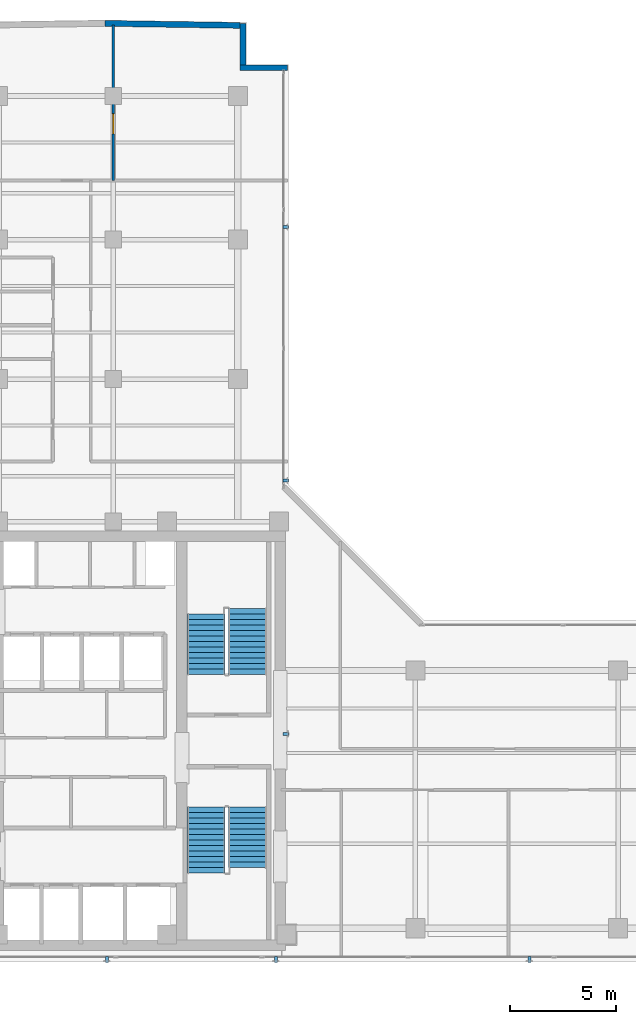
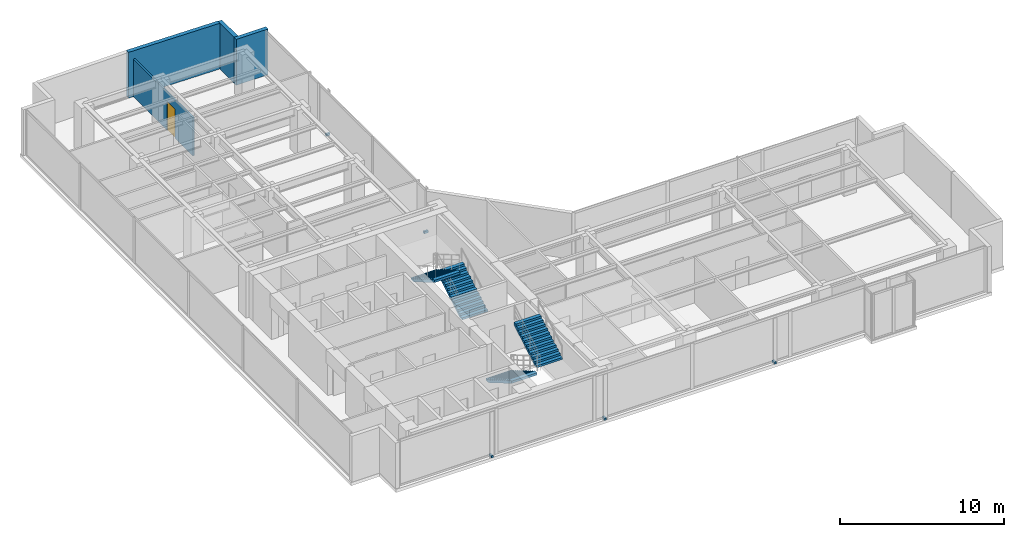
# One storey, part 18 of 23: 6 discrete accessories, 4 stair flights, 4 walls, 1 door, 1 opening, 2 elements without a shape of their own.
"""IFC4 building model written with IfcOpenShell, lengths in metres."""

from ifc_helpers import new_model, si_unit, direction, frame, frame_2d, origin, origin_with_axes, origin_2d, place, context, subcontext, project, spatial, polyline, rectangle, outline, extrude, source, transform, mapped, material, layer, layer_set, type_object, element, fill, aggregate, save


model = new_model("IFC4")

# Units and contexts
model_context = context("Model", 3, precision=1e-05, world=origin(), true_north=direction((0.0, 1.0)))
body_context = subcontext(model_context, "Body", "Model", "MODEL_VIEW")
ifc_project = project(units=[si_unit("LENGTHUNIT", "METRE"), si_unit("AREAUNIT", "SQUARE_METRE"), si_unit("VOLUMEUNIT", "CUBIC_METRE"), si_unit("PLANEANGLEUNIT", "RADIAN"), si_unit("MASSUNIT", "GRAM", prefix="KILO")], contexts=[model_context])

# Site, building, storey
site_placement = place(None, origin())
site = spatial("IfcSite", under=ifc_project, at=site_placement, CompositionType="ELEMENT")
building_placement = place(site_placement, origin())
building = spatial("IfcBuilding", under=site, at=building_placement, Name="Kolvaren Waterfront Exchange", CompositionType="ELEMENT")
storey_placement = place(building_placement, frame((0.0, 0.0, 335.0)))
storey = spatial("IfcBuildingStorey", under=building, at=storey_placement, Name="L86", CompositionType="ELEMENT", Elevation=335.0)

# Walls
ifc_material_1 = material(Name="Precast concrete C40/50", Category="concrete")
ifc_layer_1 = layer(ifc_material_1, 0.280029296875, Name="Precast concrete C40/50")
ifc_layer_set_1 = layer_set([ifc_layer_1], Name="Precast concrete C40/50")
wall_type_1 = type_object("IfcWallType", Name="ARC-EXT-TERR-280", PredefinedType="SOLIDWALL", material=ifc_layer_set_1)
wall_1_placement = place(storey_placement, frame((18.89990234375, 45.93994140625, 0.0), z_axis=(0.0, 0.0, 1.0), x_axis=(1.0, 0.0, 0.0)))
element("IfcWall", 1, at=wall_1_placement, inside=storey, type_object=wall_type_1, Name="L86 notched corner spandrel pier NNE-A", PredefinedType="SOLIDWALL", context=body_context, shape_type="SweptSolid", body=[
    extrude(rectangle(XDim=2.239990234375, YDim=0.280029296875, at=frame_2d((1.1201171875, 0.0))), origin(), (0.0, 0.0, 1.0), 3.419921875),
])
wall_2_placement = place(storey_placement, frame((19.0400390625, 46.080078125, 0.0), z_axis=(0.0, 0.0, 1.0), x_axis=(0.0, 1.0, 0.0)))
element("IfcWall", 2, at=wall_2_placement, inside=storey, type_object=wall_type_1, Name="L86 notched corner spandrel pier NNE-B", PredefinedType="SOLIDWALL", context=body_context, shape_type="SweptSolid", body=[
    extrude(rectangle(XDim=1.9599609375, YDim=0.280029296875, at=frame_2d((0.97998046875, 0.0))), origin(), (0.0, 0.0, 1.0), 3.419921875),
])
wall_3_placement = place(storey_placement, frame((18.897705078125, 47.944580078125, 0.0), z_axis=(0.0, 0.0, 1.0), x_axis=(-0.999888660787, 0.014921998152, 0.0)))
element("IfcWall", 3, at=wall_3_placement, inside=storey, type_object=wall_type_1, Name="L86 north prow faceted facade wall 1", PredefinedType="SOLIDWALL", context=body_context, shape_type="SweptSolid", body=[
    extrude(rectangle(XDim=6.380859375, YDim=0.280029296875, at=frame_2d((3.1904296875, 0.0))), origin(), (0.0, 0.0, 1.0), 3.419921875),
])

# Wall, opening, door
ifc_material_2 = material(Name="Acoustic gypsum steel stud", Category="steel")
ifc_layer_2 = layer(ifc_material_2, 0.125, Name="Acoustic gypsum steel stud")
ifc_layer_set_2 = layer_set([ifc_layer_2], Name="Acoustic gypsum steel stud")
wall_type_2 = type_object("IfcWallType", Name="ARC-PART-125", PredefinedType="PARTITIONING", material=ifc_layer_set_2)
wall_4_placement = place(storey_placement, frame((12.89990234375, 40.60009765625, 0.0), z_axis=(0.0, 0.0, 1.0), x_axis=(0.0, 1.0, 0.0)))
wall_4 = element("IfcWall", 4, at=wall_4_placement, inside=storey, type_object=wall_type_2, Name="L86 interior wall PW-L86-NTIP-DIV", PredefinedType="PARTITIONING", context=body_context, shape_type="SweptSolid", body=[
    extrude(rectangle(XDim=7.35986328125, YDim=0.125, at=frame_2d((3.679931640625, 0.0))), origin(), (0.0, 0.0, 1.0), 2.820068359375),
])
opening_placement = place(wall_4_placement, frame((2.208251953125, 0.0, 0.0)))
opening = element("IfcOpeningElement", 5, at=opening_placement, cuts=wall_4, Name="Opening D02", PredefinedType="OPENING", context=body_context, shape_type="SweptSolid", body=[
    extrude(rectangle(XDim=0.949951171875, YDim=2.14990234375, at=frame_2d((0.47509765625, 1.074951171875))), frame((0.0, 0.072509765625, 0.0), z_axis=(0.0, -1.0, 0.0), x_axis=(1.0, 0.0, 0.0)), (0.0, 0.0, 1.0), 0.14501953125),
])
ifc_material_3 = material(Name="Oak veneer acoustic timber", Category="wood")
door_type = type_object("IfcDoorType", Name="ARC-DR-950", OperationType="NOTDEFINED", PredefinedType="DOOR", material=ifc_material_3)
door_placement = place(opening_placement, origin())
door = element("IfcDoor", 6, at=door_placement, inside=storey, type_object=door_type, Name="L86 door DR-L86-NTIPE-D (D02)", OperationType="SINGLE_SWING_RIGHT", OverallHeight=2.14990234375, OverallWidth=0.949951171875, PredefinedType="DOOR", context=body_context, shape_type="SweptSolid", body=[
    extrude(rectangle(XDim=0.949951171875, YDim=2.14990234375, at=frame_2d((0.47509765625, 1.074951171875))), frame((0.0, 0.02490234375, 0.0), z_axis=(0.0, -1.0, 0.0), x_axis=(1.0, 0.0, 0.0)), (0.0, 0.0, 1.0), 0.050048828125),
])
fill(opening, door)

# Stair, stair flights
ifc_material_4 = material(Name="Concrete C40/50", Category="concrete")
stair_type = type_object("IfcStairType", Name="ARC-STAIR-3800", PredefinedType="HALF_TURN_STAIR", material=ifc_material_4)
stair_1_placement = place(storey_placement, origin())
stair_1 = element("IfcStair", 7, at=stair_1_placement, inside=storey, type_object=stair_type, Name="L86 Smoke-proof exit stair ST1", PredefinedType="HALF_TURN_STAIR")
stair_flight_type = type_object("IfcStairFlightType", Name="ARC-FLIGHT-3800", PredefinedType="STRAIGHT", material=ifc_material_4)
stair_flight_1_placement = place(storey_placement, frame((17.300048828125, 10.929931640625, 0.0), z_axis=(0.0, 0.0, 1.0), x_axis=(0.0, -1.0, 0.0)))
stair_flight_1 = element("IfcStairFlight", 8, at=stair_flight_1_placement, type_object=stair_flight_type, Name="ST1 flight 1", NumberOfRisers=13, NumberOfTreads=12, PredefinedType="STRAIGHT", RiserHeight=0.152, TreadLength=0.26, context=body_context, shape_type="SweptSolid", body=[
    extrude(outline(polyline([(0.0, 0.0), (0.0, 0.152099609375), (0.260009765625, 0.152099609375), (0.260009765625, 0.303955078125), (0.52001953125, 0.303955078125), (0.52001953125, 0.4560546875), (0.780029296875, 0.4560546875), (0.780029296875, 0.60791015625), (1.0400390625, 0.60791015625), (1.0400390625, 0.760009765625), (1.300048828125, 0.760009765625), (1.300048828125, 0.912109375), (1.56005859375, 0.912109375), (1.56005859375, 1.06396484375), (1.820068359375, 1.06396484375), (1.820068359375, 1.216064453125), (2.080078125, 1.216064453125), (2.080078125, 1.367919921875), (2.340087890625, 1.367919921875), (2.340087890625, 1.52001953125), (2.60009765625, 1.52001953125), (2.60009765625, 1.672119140625), (2.860107421875, 1.672119140625), (2.860107421875, 1.823974609375), (3.1201171875, 1.823974609375), (3.1201171875, 1.97607421875), (3.1201171875, 1.650390625), (0.297119140625, 0.0), (0.0, 0.0)])), frame((0.0, 0.89990234375, 0.0), z_axis=(0.0, -1.0, 0.0), x_axis=(1.0, 0.0, 0.0)), (0.0, 0.0, 1.0), 1.800048828125),
])
stair_flight_2_placement = place(storey_placement, frame((19.260009765625, 8.070068359375, 1.97607421875), z_axis=(0.0, 0.0, 1.0), x_axis=(0.0, 1.0, 0.0)))
stair_flight_2 = element("IfcStairFlight", 9, at=stair_flight_2_placement, type_object=stair_flight_type, Name="ST1 flight 2", NumberOfRisers=12, NumberOfTreads=11, PredefinedType="STRAIGHT", RiserHeight=0.152, TreadLength=0.26, context=body_context, shape_type="SweptSolid", body=[
    extrude(outline(polyline([(0.0, 0.0), (0.0, 0.152099609375), (0.260009765625, 0.152099609375), (0.260009765625, 0.303955078125), (0.52001953125, 0.303955078125), (0.52001953125, 0.4560546875), (0.780029296875, 0.4560546875), (0.780029296875, 0.60791015625), (1.0400390625, 0.60791015625), (1.0400390625, 0.760009765625), (1.300048828125, 0.760009765625), (1.300048828125, 0.912109375), (1.56005859375, 0.912109375), (1.56005859375, 1.06396484375), (1.820068359375, 1.06396484375), (1.820068359375, 1.216064453125), (2.080078125, 1.216064453125), (2.080078125, 1.367919921875), (2.340087890625, 1.367919921875), (2.340087890625, 1.52001953125), (2.60009765625, 1.52001953125), (2.60009765625, 1.672119140625), (2.860107421875, 1.672119140625), (2.860107421875, 1.823974609375), (2.860107421875, 1.498291015625), (0.297119140625, 0.0), (0.0, 0.0)])), frame((0.0, 0.89990234375, 0.0), z_axis=(0.0, -1.0, 0.0), x_axis=(1.0, 0.0, 0.0)), (0.0, 0.0, 1.0), 1.800048828125),
])
aggregate(stair_1, [stair_flight_1, stair_flight_2])

stair_2_placement = place(storey_placement, origin())
stair_2 = element("IfcStair", 10, at=stair_2_placement, inside=storey, type_object=stair_type, Name="L86 Smoke-proof exit stair ST2", PredefinedType="HALF_TURN_STAIR")
stair_flight_3_placement = place(storey_placement, frame((19.260009765625, 17.219970703125, 0.0), z_axis=(0.0, 0.0, 1.0), x_axis=(0.0, 1.0, 0.0)))
stair_flight_3 = element("IfcStairFlight", 11, at=stair_flight_3_placement, type_object=stair_flight_type, Name="ST2 flight 1", NumberOfRisers=13, NumberOfTreads=12, PredefinedType="STRAIGHT", RiserHeight=0.152, TreadLength=0.26, context=body_context, shape_type="SweptSolid", body=[
    extrude(outline(polyline([(0.0, 0.0), (0.0, 0.152099609375), (0.260009765625, 0.152099609375), (0.260009765625, 0.303955078125), (0.52001953125, 0.303955078125), (0.52001953125, 0.4560546875), (0.780029296875, 0.4560546875), (0.780029296875, 0.60791015625), (1.0400390625, 0.60791015625), (1.0400390625, 0.760009765625), (1.300048828125, 0.760009765625), (1.300048828125, 0.912109375), (1.56005859375, 0.912109375), (1.56005859375, 1.06396484375), (1.820068359375, 1.06396484375), (1.820068359375, 1.216064453125), (2.080078125, 1.216064453125), (2.080078125, 1.367919921875), (2.340087890625, 1.367919921875), (2.340087890625, 1.52001953125), (2.60009765625, 1.52001953125), (2.60009765625, 1.672119140625), (2.860107421875, 1.672119140625), (2.860107421875, 1.823974609375), (3.1201171875, 1.823974609375), (3.1201171875, 1.97607421875), (3.1201171875, 1.650390625), (0.297119140625, 0.0), (0.0, 0.0)])), frame((0.0, 0.89990234375, 0.0), z_axis=(0.0, -1.0, 0.0), x_axis=(1.0, 0.0, 0.0)), (0.0, 0.0, 1.0), 1.800048828125),
])
stair_flight_4_placement = place(storey_placement, frame((17.300048828125, 20.080078125, 1.97607421875), z_axis=(0.0, 0.0, 1.0), x_axis=(0.0, -1.0, 0.0)))
stair_flight_4 = element("IfcStairFlight", 12, at=stair_flight_4_placement, type_object=stair_flight_type, Name="ST2 flight 2", NumberOfRisers=12, NumberOfTreads=11, PredefinedType="STRAIGHT", RiserHeight=0.152, TreadLength=0.26, context=body_context, shape_type="SweptSolid", body=[
    extrude(outline(polyline([(0.0, 0.0), (0.0, 0.152099609375), (0.260009765625, 0.152099609375), (0.260009765625, 0.303955078125), (0.52001953125, 0.303955078125), (0.52001953125, 0.4560546875), (0.780029296875, 0.4560546875), (0.780029296875, 0.60791015625), (1.0400390625, 0.60791015625), (1.0400390625, 0.760009765625), (1.300048828125, 0.760009765625), (1.300048828125, 0.912109375), (1.56005859375, 0.912109375), (1.56005859375, 1.06396484375), (1.820068359375, 1.06396484375), (1.820068359375, 1.216064453125), (2.080078125, 1.216064453125), (2.080078125, 1.367919921875), (2.340087890625, 1.367919921875), (2.340087890625, 1.52001953125), (2.60009765625, 1.52001953125), (2.60009765625, 1.672119140625), (2.860107421875, 1.672119140625), (2.860107421875, 1.823974609375), (2.860107421875, 1.498291015625), (0.297119140625, 0.0), (0.0, 0.0)])), frame((0.0, 0.89990234375, 0.0), z_axis=(0.0, -1.0, 0.0), x_axis=(1.0, 0.0, 0.0)), (0.0, 0.0, 1.0), 1.800048828125),
])
aggregate(stair_2, [stair_flight_3, stair_flight_4])

# Discrete accessories
ifc_material_5 = material(Name="Stainless steel 316", Category="steel")
discrete_accessory_type = type_object("IfcDiscreteAccessoryType", Name="ARC-BRK-FIN", PredefinedType="BRACKET", material=ifc_material_5)
shared_shape = source(origin_with_axes(), body_context, "Body", "SweptSolid", [
    extrude(rectangle(XDim=0.280029296875, YDim=0.139892578125, at=origin_2d()), origin(), (0.0, 0.0, 1.0), 0.159912109375),
])
for number, where, z_axis, x_axis, name in (
    (13, (12.60009765625, 3.719970703125, 0.0), (0.0, 0.0, 1.0), (0.0, -1.0, 0.0), "L86 bronze fin anchor bracket FIN-L86-S1"),
    (14, (20.60009765625, 3.719970703125, 0.0), (0.0, 0.0, 1.0), (0.0, -1.0, 0.0), "L86 bronze fin anchor bracket FIN-L86-S2"),
    (15, (32.60009765625, 3.719970703125, 0.0), (0.0, 0.0, 1.0), (0.0, -1.0, 0.0), "L86 bronze fin anchor bracket FIN-L86-S3"),
    (16, (21.080078125, 14.39990234375, 0.0), (0.0, 0.0, 1.0), (1.0, 0.0, 0.0), "L86 bronze fin anchor bracket FIN-L86-E1"),
    (17, (21.080078125, 26.39990234375, 0.0), (0.0, 0.0, 1.0), (1.0, 0.0, 0.0), "L86 bronze fin anchor bracket FIN-L86-E2"),
    (18, (21.080078125, 38.39990234375, 0.0), (0.0, 0.0, 1.0), (1.0, 0.0, 0.0), "L86 bronze fin anchor bracket FIN-L86-E3"),
):
    element("IfcDiscreteAccessory", number, at=place(storey_placement, frame(where, z_axis=z_axis, x_axis=x_axis)), inside=storey, type_object=discrete_accessory_type, Name=name, PredefinedType="BRACKET", context=body_context, shape_type="MappedRepresentation", body=[
        mapped(shared_shape, transform((0.0, 0.0, 0.0), x_axis=(1.0, 0.0, 0.0), y_axis=(0.0, 1.0, 0.0), z_axis=(0.0, 0.0, 1.0), scale=1.0)),
    ])

save(model, "model.ifc")
